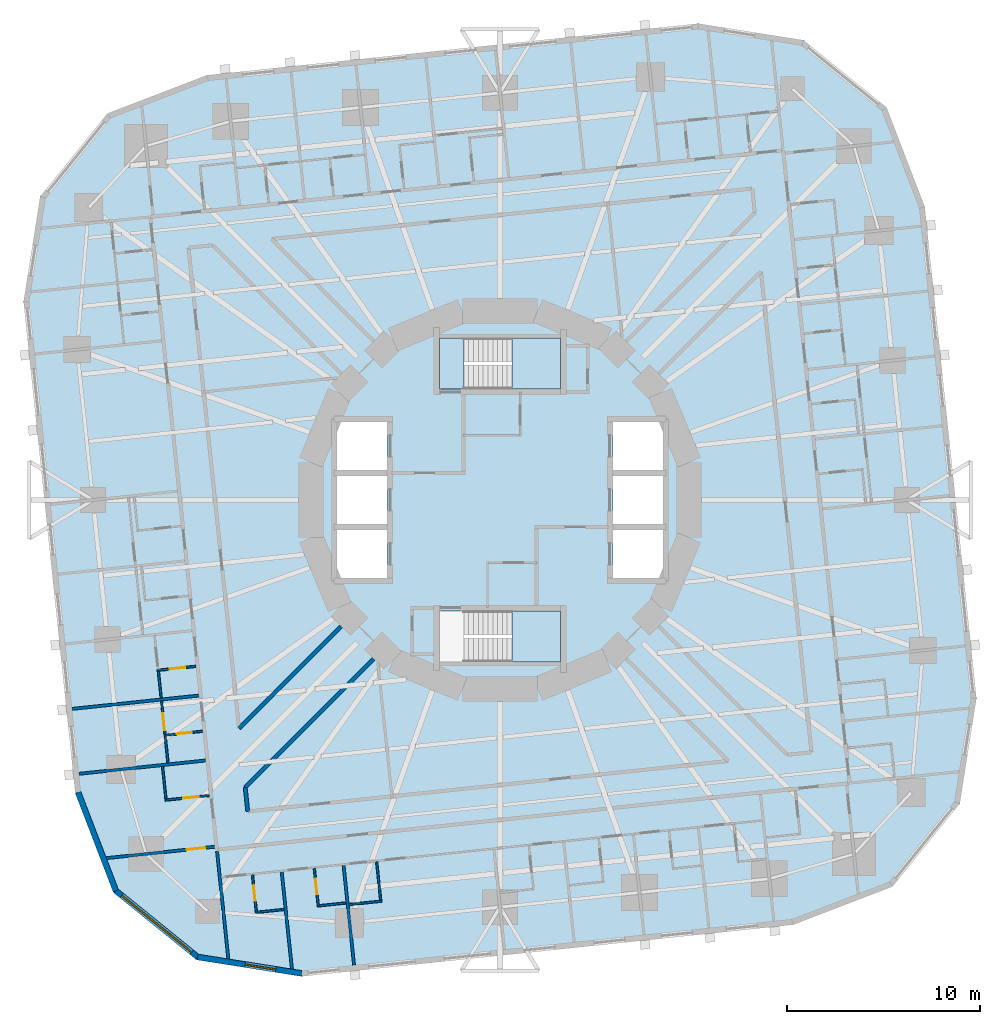
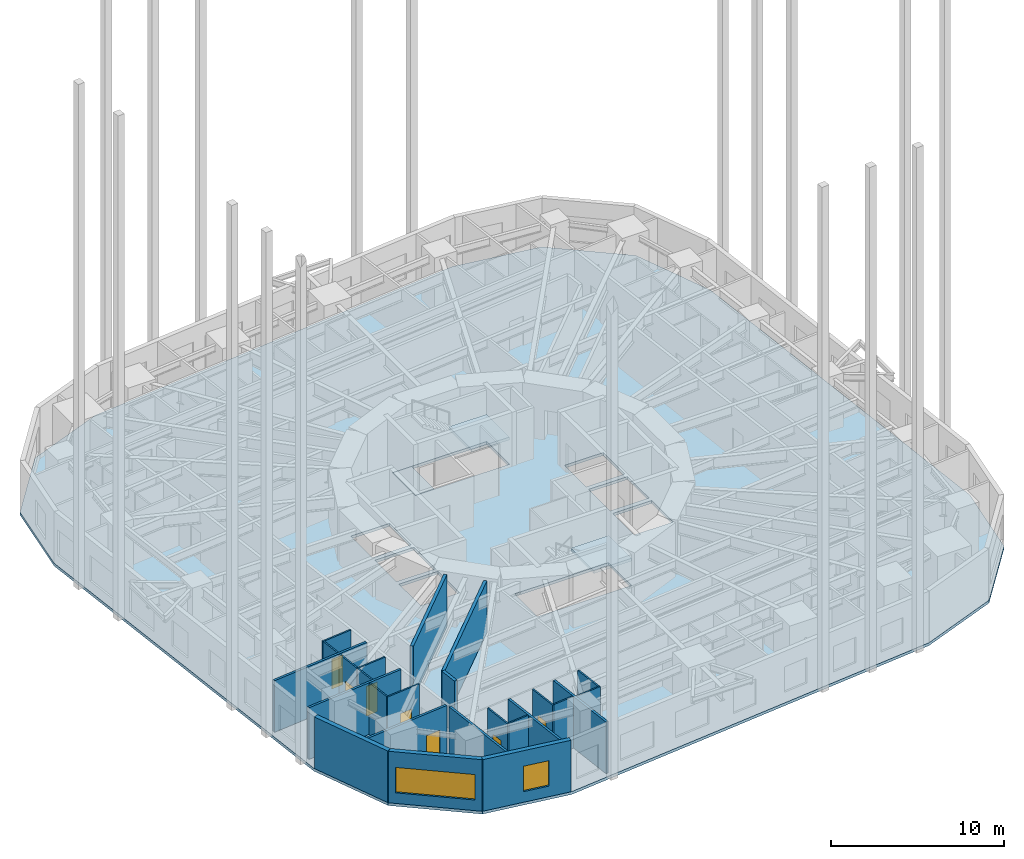
# One storey, part 4 of 13: 25 walls, 7 doors, 4 slabs, 2 windows, 9 openings, 2 elements without a shape of their own.
"""IFC4 building model written with IfcOpenShell, lengths in metres."""

from ifc_helpers import new_model, si_unit, direction, frame, frame_2d, origin, place, context, subcontext, project, spatial, polyline, rectangle, outline, extrude, material, layer, layer_set, type_object, element, fill, aggregate, save


model = new_model("IFC4")

# Units and contexts
model_context = context("Model", 3, precision=1e-05, world=origin(), true_north=direction((0.0, 1.0)))
body_context = subcontext(model_context, "Body", "Model", "MODEL_VIEW")
ifc_project = project(units=[si_unit("LENGTHUNIT", "METRE"), si_unit("AREAUNIT", "SQUARE_METRE"), si_unit("VOLUMEUNIT", "CUBIC_METRE"), si_unit("PLANEANGLEUNIT", "RADIAN"), si_unit("MASSUNIT", "GRAM", prefix="KILO")], contexts=[model_context])

# Site, building, storey
site_placement = place(None, origin())
site = spatial("IfcSite", under=ifc_project, at=site_placement, CompositionType="ELEMENT")
building_placement = place(site_placement, origin())
building = spatial("IfcBuilding", under=site, at=building_placement, Name="Nakasero Lantern House", CompositionType="ELEMENT")
storey_placement = place(building_placement, frame((0.0, 0.0, 60.5)))
storey = spatial("IfcBuildingStorey", under=building, at=storey_placement, Name="L14", CompositionType="ELEMENT", Elevation=60.5)

# Slab
ifc_material_1 = material(Name="Concrete C35/45", Category="concrete")
ifc_layer_1 = layer(ifc_material_1, 0.199951171875)
ifc_layer_set_1 = layer_set([ifc_layer_1], Name="Composite floor slab 200")
slab_type_1 = type_object("IfcSlabType", Name="Composite floor slab 200", PredefinedType="FLOOR", material=ifc_layer_set_1)
slab_1_placement = place(storey_placement, frame((0.0, 0.0, -0.199951171875)))
element("IfcSlab", 1, at=slab_1_placement, inside=storey, type_object=slab_type_1, Name="Floor slab L14", PredefinedType="FLOOR", context=body_context, shape_type="SweptSolid", body=[
    extrude(outline(polyline([(22.033203125, 15.186279296875), (20.04833984375, 20.357177734375), (15.743896484375, 23.8427734375), (10.2734375, 24.709228515625), (-15.186279296875, 22.033203125), (-20.357177734375, 20.04833984375), (-23.8427734375, 15.743896484375), (-24.709228515625, 10.2734375), (-22.033203125, -15.186279296875), (-20.04833984375, -20.357177734375), (-15.743896484375, -23.8427734375), (-10.2734375, -24.709228515625), (15.186279296875, -22.033203125), (20.357177734375, -20.04833984375), (23.8427734375, -15.743896484375), (24.709228515625, -10.2734375), (22.033203125, 15.186279296875)]), holes=[polyline([(-8.449951171875, -4.050048828125), (-5.85009765625, -4.050048828125), (-5.85009765625, -1.550048828125), (-8.449951171875, -1.550048828125), (-8.449951171875, -4.050048828125)]), polyline([(-8.449951171875, -1.25), (-5.85009765625, -1.25), (-5.85009765625, 1.25), (-8.449951171875, 1.25), (-8.449951171875, -1.25)]), polyline([(-8.449951171875, 1.550048828125), (-5.85009765625, 1.550048828125), (-5.85009765625, 4.050048828125), (-8.449951171875, 4.050048828125), (-8.449951171875, 1.550048828125)]), polyline([(5.85009765625, -4.050048828125), (8.449951171875, -4.050048828125), (8.449951171875, -1.550048828125), (5.85009765625, -1.550048828125), (5.85009765625, -4.050048828125)]), polyline([(5.85009765625, -1.25), (8.449951171875, -1.25), (8.449951171875, 1.25), (5.85009765625, 1.25), (5.85009765625, -1.25)]), polyline([(5.85009765625, 1.550048828125), (8.449951171875, 1.550048828125), (8.449951171875, 4.050048828125), (5.85009765625, 4.050048828125), (5.85009765625, 1.550048828125)]), polyline([(-3.14990234375, 5.75), (3.14990234375, 5.75), (3.14990234375, 8.39990234375), (-3.14990234375, 8.39990234375), (-3.14990234375, 5.75)]), polyline([(-3.14990234375, -8.39990234375), (3.14990234375, -8.39990234375), (3.14990234375, -5.75), (-3.14990234375, -5.75), (-3.14990234375, -8.39990234375)])]), origin(), (0.0, 0.0, 1.0), 0.199951171875),
])

# Stair, slabs
ifc_material_2 = material(Name="Concrete C40/50", Category="concrete")
stair_type_1 = type_object("IfcStairType", Name="Escape stair ST1 22 risers", PredefinedType="HALF_TURN_STAIR", material=ifc_material_2)
stair_1_placement = place(storey_placement, origin())
stair_1 = element("IfcStair", 2, at=stair_1_placement, inside=storey, type_object=stair_type_1, Name="Escape stair ST1 L14", PredefinedType="HALF_TURN_STAIR")
ifc_material_3 = material(Name="Concrete C40/50", Category="concrete")
ifc_layer_2 = layer(ifc_material_3, 0.199951171875)
ifc_layer_set_2 = layer_set([ifc_layer_2], Name="Stair landing 200")
slab_type_2 = type_object("IfcSlabType", Name="Stair landing 200", PredefinedType="LANDING", material=ifc_layer_set_2)
slab_2_placement = place(storey_placement, frame((0.0, 0.0, -0.199951171875)))
slab_2 = element("IfcSlab", 3, at=slab_2_placement, type_object=slab_type_2, Name="ST1 landing 1", PredefinedType="LANDING", context=body_context, shape_type="SweptSolid", body=[
    extrude(outline(polyline([(-3.14990234375, 5.75), (-1.875, 5.75), (-1.875, 8.39990234375), (-3.14990234375, 8.39990234375), (-3.14990234375, 5.75)])), origin(), (0.0, 0.0, 1.0), 0.199951171875),
])
slab_3_placement = place(storey_placement, frame((0.0, 0.0, 1.72509765625)))
slab_3 = element("IfcSlab", 4, at=slab_3_placement, type_object=slab_type_2, Name="ST1 landing 2", PredefinedType="LANDING", context=body_context, shape_type="SweptSolid", body=[
    extrude(outline(polyline([(0.625, 5.75), (3.14990234375, 5.75), (3.14990234375, 8.39990234375), (0.625, 8.39990234375), (0.625, 5.75)])), origin(), (0.0, 0.0, 1.0), 0.199951171875),
])
aggregate(stair_1, [slab_2, slab_3])

# Stair, slab
ifc_material_4 = material(Name="Concrete C40/50", Category="concrete")
stair_type_2 = type_object("IfcStairType", Name="Escape stair ST2 22 risers", PredefinedType="HALF_TURN_STAIR", material=ifc_material_4)
stair_2_placement = place(storey_placement, origin())
stair_2 = element("IfcStair", 5, at=stair_2_placement, inside=storey, type_object=stair_type_2, Name="Escape stair ST2 L14", PredefinedType="HALF_TURN_STAIR")
slab_4_placement = place(storey_placement, frame((0.0, 0.0, 1.72509765625)))
slab_4 = element("IfcSlab", 6, at=slab_4_placement, type_object=slab_type_2, Name="ST2 landing 2", PredefinedType="LANDING", context=body_context, shape_type="SweptSolid", body=[
    extrude(outline(polyline([(0.625, -8.39990234375), (3.14990234375, -8.39990234375), (3.14990234375, -5.75), (0.625, -5.75), (0.625, -8.39990234375)])), origin(), (0.0, 0.0, 1.0), 0.199951171875),
])
aggregate(stair_2, [slab_4])

# Walls
ifc_material_5 = material(Name="Blockwork", Category="masonry")
ifc_layer_3 = layer(ifc_material_5, 0.199951171875)
ifc_layer_set_3 = layer_set([ifc_layer_3], Name="Corridor wall 200")
wall_type_1 = type_object("IfcWallType", Name="Corridor wall 200", PredefinedType="PARTITIONING", material=ifc_layer_set_3)
wall_1_placement = place(storey_placement, frame((-13.2138671875, -14.910888671875, 0.0), z_axis=(0.0, 0.0, 1.0), x_axis=(0.104522368483, -0.994522535937, 0.0)))
element("IfcWall", 7, at=wall_1_placement, inside=storey, type_object=wall_type_1, Name="Corridor wall L14 IW2-1", PredefinedType="PARTITIONING", context=body_context, shape_type="SweptSolid", body=[
    extrude(rectangle(XDim=1.251953125, YDim=0.199951171875, at=frame_2d((0.6259765625, 0.0))), origin(), (0.0, 0.0, 1.0), 3.64990234375),
])
wall_2_placement = place(storey_placement, frame((-6.54638671875, -8.243408203125, 0.0), z_axis=(0.0, 0.0, 1.0), x_axis=(-0.707106781187, -0.707106781187, 0.0)))
element("IfcWall", 8, at=wall_2_placement, inside=storey, type_object=wall_type_1, Name="Corridor wall L14 PS10a", PredefinedType="PARTITIONING", context=body_context, shape_type="SweptSolid", body=[
    extrude(rectangle(XDim=9.42919921875, YDim=0.199951171875, at=frame_2d((4.714599609375, 0.0))), origin(), (0.0, 0.0, 1.0), 3.64990234375),
])
wall_3_placement = place(storey_placement, frame((-8.243408203125, -6.54638671875, 0.0), z_axis=(0.0, 0.0, 1.0), x_axis=(-0.707106781187, -0.707106781187, 0.0)))
element("IfcWall", 9, at=wall_3_placement, inside=storey, type_object=wall_type_1, Name="Corridor wall L14 PS10b", PredefinedType="PARTITIONING", context=body_context, shape_type="SweptSolid", body=[
    extrude(rectangle(XDim=7.48583984375, YDim=0.199951171875, at=frame_2d((3.742919921875, 0.0))), origin(), (0.0, 0.0, 1.0), 3.64990234375),
])

# Wall, opening, door
ifc_material_6 = material(Name="Blockwork", Category="masonry")
ifc_layer_4 = layer(ifc_material_6, 0.10009765625)
ifc_layer_set_4 = layer_set([ifc_layer_4], Name="En-suite wall 100")
wall_type_2 = type_object("IfcWallType", Name="En-suite wall 100", PredefinedType="PARTITIONING", material=ifc_layer_set_4)
wall_4_placement = place(storey_placement, frame((-15.78466796875, -8.627685546875, 0.0), z_axis=(0.0, 0.0, 1.0), x_axis=(-0.994512808172, -0.104614886044, 0.0)))
wall_4 = element("IfcWall", 10, at=wall_4_placement, inside=storey, type_object=wall_type_2, Name="En-suite wall L14 ES2-06", PredefinedType="PARTITIONING", context=body_context, shape_type="SweptSolid", body=[
    extrude(rectangle(XDim=2.0, YDim=0.10009765625, at=frame_2d((1.0, 0.0))), origin(), (0.0, 0.0, 1.0), 3.64990234375),
])
opening_1_placement = place(wall_4_placement, frame((0.550048828125, 0.0, 0.0)))
opening_1 = element("IfcOpeningElement", 11, at=opening_1_placement, cuts=wall_4, Name="Opening D02", PredefinedType="OPENING", context=body_context, shape_type="SweptSolid", body=[
    extrude(rectangle(XDim=0.800048828125, YDim=2.10009765625, at=frame_2d((0.39990234375, 1.050048828125))), frame((0.0, 0.070068359375, 0.0), z_axis=(0.0, -1.0, 0.0), x_axis=(1.0, 0.0, 0.0)), (0.0, 0.0, 1.0), 0.14013671875),
])
ifc_material_7 = material(Name="Timber C24", Category="wood")
door_type_1 = type_object("IfcDoorType", Name="En-suite door 800", OperationType="SINGLE_SWING_RIGHT", PredefinedType="DOOR", material=ifc_material_7)
door_1_placement = place(opening_1_placement, origin())
door_1 = element("IfcDoor", 12, at=door_1_placement, inside=storey, type_object=door_type_1, Name="Door L14 DE2-06", OperationType="SINGLE_SWING_LEFT", OverallHeight=2.10009765625, OverallWidth=0.800048828125, PredefinedType="DOOR", context=body_context, shape_type="SweptSolid", body=[
    extrude(rectangle(XDim=0.800048828125, YDim=2.10009765625, at=frame_2d((0.39990234375, 1.050048828125))), frame((0.0, 0.02490234375, 0.0), z_axis=(0.0, -1.0, 0.0), x_axis=(1.0, 0.0, 0.0)), (0.0, 0.0, 1.0), 0.050048828125),
])
fill(opening_1, door_1)

# Wall
wall_5_placement = place(storey_placement, frame((-17.71875, -8.88134765625, 0.0), z_axis=(0.0, 0.0, 1.0), x_axis=(0.104630319263, -0.994511184598, 0.0)))
element("IfcWall", 13, at=wall_5_placement, inside=storey, type_object=wall_type_2, Name="En-suite wall L14 EE2-06", PredefinedType="PARTITIONING", context=body_context, shape_type="SweptSolid", body=[
    extrude(rectangle(XDim=1.39990234375, YDim=0.10009765625, at=frame_2d((0.699951171875, 0.0))), origin(), (0.0, 0.0, 1.0), 3.64990234375),
])

# Wall, opening, door
wall_6_placement = place(storey_placement, frame((-15.4306640625, -11.994873046875, 0.0), z_axis=(0.0, 0.0, 1.0), x_axis=(-0.99452550138, -0.104494148666, 0.0)))
wall_6 = element("IfcWall", 14, at=wall_6_placement, inside=storey, type_object=wall_type_2, Name="En-suite wall L14 ES2-07", PredefinedType="PARTITIONING", context=body_context, shape_type="SweptSolid", body=[
    extrude(rectangle(XDim=2.0, YDim=0.10009765625, at=frame_2d((1.0, 0.0))), origin(), (0.0, 0.0, 1.0), 3.64990234375),
])
opening_2_placement = place(wall_6_placement, frame((0.550048828125, 0.0, 0.0)))
opening_2 = element("IfcOpeningElement", 15, at=opening_2_placement, cuts=wall_6, Name="Opening D02", PredefinedType="OPENING", context=body_context, shape_type="SweptSolid", body=[
    extrude(rectangle(XDim=0.800048828125, YDim=2.10009765625, at=frame_2d((0.39990234375, 1.050048828125))), frame((0.0, 0.070068359375, 0.0), z_axis=(0.0, -1.0, 0.0), x_axis=(1.0, 0.0, 0.0)), (0.0, 0.0, 1.0), 0.14013671875),
])
door_2_placement = place(opening_2_placement, origin())
door_2 = element("IfcDoor", 16, at=door_2_placement, inside=storey, type_object=door_type_1, Name="Door L14 DE2-07", OperationType="SINGLE_SWING_LEFT", OverallHeight=2.10009765625, OverallWidth=0.800048828125, PredefinedType="DOOR", context=body_context, shape_type="SweptSolid", body=[
    extrude(rectangle(XDim=0.800048828125, YDim=2.10009765625, at=frame_2d((0.39990234375, 1.050048828125))), frame((0.0, 0.02490234375, 0.0), z_axis=(0.0, -1.0, 0.0), x_axis=(1.0, 0.0, 0.0)), (0.0, 0.0, 1.0), 0.050048828125),
])
fill(opening_2, door_2)

# Wall
wall_7_placement = place(storey_placement, frame((-17.36474609375, -12.248291015625, 0.0), z_axis=(0.0, 0.0, 1.0), x_axis=(0.104457839748, -0.994529315664, 0.0)))
element("IfcWall", 17, at=wall_7_placement, inside=storey, type_object=wall_type_2, Name="En-suite wall L14 EE2-07", PredefinedType="PARTITIONING", context=body_context, shape_type="SweptSolid", body=[
    extrude(rectangle(XDim=1.39990234375, YDim=0.10009765625, at=frame_2d((0.699951171875, 0.0))), origin(), (0.0, 0.0, 1.0), 3.64990234375),
])

# Wall, opening, door
wall_8_placement = place(storey_placement, frame((-15.08056640625, -15.326416015625, 0.0), z_axis=(0.0, 0.0, 1.0), x_axis=(-0.994518822602, -0.104557694553, 0.0)))
wall_8 = element("IfcWall", 18, at=wall_8_placement, inside=storey, type_object=wall_type_2, Name="En-suite wall L14 ES2-08", PredefinedType="PARTITIONING", context=body_context, shape_type="SweptSolid", body=[
    extrude(rectangle(XDim=2.300048828125, YDim=0.10009765625, at=frame_2d((1.14990234375, 0.0))), origin(), (0.0, 0.0, 1.0), 3.64990234375),
])
opening_3_placement = place(wall_8_placement, frame((0.550048828125, 0.0, 0.0)))
opening_3 = element("IfcOpeningElement", 19, at=opening_3_placement, cuts=wall_8, Name="Opening D02", PredefinedType="OPENING", context=body_context, shape_type="SweptSolid", body=[
    extrude(rectangle(XDim=0.800048828125, YDim=2.10009765625, at=frame_2d((0.39990234375, 1.050048828125))), frame((0.0, 0.070068359375, 0.0), z_axis=(0.0, -1.0, 0.0), x_axis=(1.0, 0.0, 0.0)), (0.0, 0.0, 1.0), 0.14013671875),
])
door_3_placement = place(opening_3_placement, origin())
door_3 = element("IfcDoor", 20, at=door_3_placement, inside=storey, type_object=door_type_1, Name="Door L14 DE2-08", OperationType="SINGLE_SWING_LEFT", OverallHeight=2.10009765625, OverallWidth=0.800048828125, PredefinedType="DOOR", context=body_context, shape_type="SweptSolid", body=[
    extrude(rectangle(XDim=0.800048828125, YDim=2.10009765625, at=frame_2d((0.39990234375, 1.050048828125))), frame((0.0, 0.02490234375, 0.0), z_axis=(0.0, -1.0, 0.0), x_axis=(1.0, 0.0, 0.0)), (0.0, 0.0, 1.0), 0.050048828125),
])
fill(opening_3, door_3)

# Walls
wall_9_placement = place(storey_placement, frame((-17.501220703125, -13.8212890625, 0.0), z_axis=(0.0, 0.0, 1.0), x_axis=(0.104550220202, -0.994519608382, 0.0)))
element("IfcWall", 21, at=wall_9_placement, inside=storey, type_object=wall_type_2, Name="En-suite wall L14 EE2-08", PredefinedType="PARTITIONING", context=body_context, shape_type="SweptSolid", body=[
    extrude(rectangle(XDim=1.699951171875, YDim=0.10009765625, at=frame_2d((0.85009765625, 0.0))), origin(), (0.0, 0.0, 1.0), 3.64990234375),
])
wall_10_placement = place(storey_placement, frame((-6.397216796875, -18.771484375, 0.0), z_axis=(0.0, 0.0, 1.0), x_axis=(0.104509292252, -0.994523910136, 0.0)))
element("IfcWall", 22, at=wall_10_placement, inside=storey, type_object=wall_type_2, Name="En-suite wall L14 SS3-0", PredefinedType="PARTITIONING", context=body_context, shape_type="SweptSolid", body=[
    extrude(rectangle(XDim=2.10009765625, YDim=0.10009765625, at=frame_2d((1.050048828125, 0.0))), origin(), (0.0, 0.0, 1.0), 3.64990234375),
])
wall_11_placement = place(storey_placement, frame((-7.823974609375, -20.982666015625, 0.0), z_axis=(0.0, 0.0, 1.0), x_axis=(0.994534530939, 0.104408173862, 0.0)))
element("IfcWall", 23, at=wall_11_placement, inside=storey, type_object=wall_type_2, Name="En-suite wall L14 SE3-0", PredefinedType="PARTITIONING", context=body_context, shape_type="SweptSolid", body=[
    extrude(rectangle(XDim=1.699951171875, YDim=0.10009765625, at=frame_2d((0.85009765625, 0.0))), origin(), (0.0, 0.0, 1.0), 3.64990234375),
])

# Wall, opening, door
wall_12_placement = place(storey_placement, frame((-12.837158203125, -19.448486328125, 0.0), z_axis=(0.0, 0.0, 1.0), x_axis=(0.104494148666, -0.99452550138, 0.0)))
wall_12 = element("IfcWall", 24, at=wall_12_placement, inside=storey, type_object=wall_type_2, Name="En-suite wall L14 ES3-00", PredefinedType="PARTITIONING", context=body_context, shape_type="SweptSolid", body=[
    extrude(rectangle(XDim=2.0, YDim=0.10009765625, at=frame_2d((1.0, 0.0))), origin(), (0.0, 0.0, 1.0), 3.64990234375),
])
opening_4_placement = place(wall_12_placement, frame((0.550048828125, 0.0, 0.0)))
opening_4 = element("IfcOpeningElement", 25, at=opening_4_placement, cuts=wall_12, Name="Opening D02", PredefinedType="OPENING", context=body_context, shape_type="SweptSolid", body=[
    extrude(rectangle(XDim=0.800048828125, YDim=2.10009765625, at=frame_2d((0.39990234375, 1.050048828125))), frame((0.0, 0.070068359375, 0.0), z_axis=(0.0, -1.0, 0.0), x_axis=(1.0, 0.0, 0.0)), (0.0, 0.0, 1.0), 0.14013671875),
])
door_4_placement = place(opening_4_placement, origin())
door_4 = element("IfcDoor", 26, at=door_4_placement, inside=storey, type_object=door_type_1, Name="Door L14 DE3-00", OperationType="SINGLE_SWING_LEFT", OverallHeight=2.10009765625, OverallWidth=0.800048828125, PredefinedType="DOOR", context=body_context, shape_type="SweptSolid", body=[
    extrude(rectangle(XDim=0.800048828125, YDim=2.10009765625, at=frame_2d((0.39990234375, 1.050048828125))), frame((0.0, 0.02490234375, 0.0), z_axis=(0.0, -1.0, 0.0), x_axis=(1.0, 0.0, 0.0)), (0.0, 0.0, 1.0), 0.050048828125),
])
fill(opening_4, door_4)

# Wall
wall_13_placement = place(storey_placement, frame((-12.58349609375, -21.382568359375, 0.0), z_axis=(0.0, 0.0, 1.0), x_axis=(0.994511184598, 0.104630319263, 0.0)))
element("IfcWall", 27, at=wall_13_placement, inside=storey, type_object=wall_type_2, Name="En-suite wall L14 EE3-00", PredefinedType="PARTITIONING", context=body_context, shape_type="SweptSolid", body=[
    extrude(rectangle(XDim=1.39990234375, YDim=0.10009765625, at=frame_2d((0.699951171875, 0.0))), origin(), (0.0, 0.0, 1.0), 3.64990234375),
])

# Wall, opening, door
wall_14_placement = place(storey_placement, frame((-9.62939453125, -19.111328125, 0.0), z_axis=(0.0, 0.0, 1.0), x_axis=(0.104494148666, -0.99452550138, 0.0)))
wall_14 = element("IfcWall", 28, at=wall_14_placement, inside=storey, type_object=wall_type_2, Name="En-suite wall L14 ES3-01", PredefinedType="PARTITIONING", context=body_context, shape_type="SweptSolid", body=[
    extrude(rectangle(XDim=2.0, YDim=0.10009765625, at=frame_2d((1.0, 0.0))), origin(), (0.0, 0.0, 1.0), 3.64990234375),
])
opening_5_placement = place(wall_14_placement, frame((0.550048828125, 0.0, 0.0)))
opening_5 = element("IfcOpeningElement", 29, at=opening_5_placement, cuts=wall_14, Name="Opening D02", PredefinedType="OPENING", context=body_context, shape_type="SweptSolid", body=[
    extrude(rectangle(XDim=0.800048828125, YDim=2.10009765625, at=frame_2d((0.39990234375, 1.050048828125))), frame((0.0, 0.070068359375, 0.0), z_axis=(0.0, -1.0, 0.0), x_axis=(1.0, 0.0, 0.0)), (0.0, 0.0, 1.0), 0.14013671875),
])
door_5_placement = place(opening_5_placement, origin())
door_5 = element("IfcDoor", 30, at=door_5_placement, inside=storey, type_object=door_type_1, Name="Door L14 DE3-01", OperationType="SINGLE_SWING_LEFT", OverallHeight=2.10009765625, OverallWidth=0.800048828125, PredefinedType="DOOR", context=body_context, shape_type="SweptSolid", body=[
    extrude(rectangle(XDim=0.800048828125, YDim=2.10009765625, at=frame_2d((0.39990234375, 1.050048828125))), frame((0.0, 0.02490234375, 0.0), z_axis=(0.0, -1.0, 0.0), x_axis=(1.0, 0.0, 0.0)), (0.0, 0.0, 1.0), 0.050048828125),
])
fill(opening_5, door_5)

# Wall
wall_15_placement = place(storey_placement, frame((-9.3759765625, -21.04541015625, 0.0), z_axis=(0.0, 0.0, 1.0), x_axis=(0.994511184598, 0.104630319263, 0.0)))
element("IfcWall", 31, at=wall_15_placement, inside=storey, type_object=wall_type_2, Name="En-suite wall L14 EE3-01", PredefinedType="PARTITIONING", context=body_context, shape_type="SweptSolid", body=[
    extrude(rectangle(XDim=1.39990234375, YDim=0.10009765625, at=frame_2d((0.699951171875, 0.0))), origin(), (0.0, 0.0, 1.0), 3.64990234375),
])

# Wall, opening, door
wall_16_placement = place(storey_placement, frame((-17.556640625, -10.4228515625, 0.0), z_axis=(0.0, 0.0, 1.0), x_axis=(0.10451636674, -0.99452316669, 0.0)))
wall_16 = element("IfcWall", 32, at=wall_16_placement, inside=storey, type_object=wall_type_2, Name="En-suite wall L14 EL2-07", PredefinedType="PARTITIONING", context=body_context, shape_type="SweptSolid", body=[
    extrude(rectangle(XDim=1.735595703125, YDim=0.10009765625, at=frame_2d((0.86767578125, 0.0))), origin(), (0.0, 0.0, 1.0), 3.64990234375),
])
opening_6_placement = place(wall_16_placement, frame((0.635498046875, 0.0, 0.0)))
opening_6 = element("IfcOpeningElement", 33, at=opening_6_placement, cuts=wall_16, Name="Opening D17", PredefinedType="OPENING", context=body_context, shape_type="SweptSolid", body=[
    extrude(rectangle(XDim=0.89990234375, YDim=2.10009765625, at=frame_2d((0.449951171875, 1.050048828125))), frame((0.0, 0.070068359375, 0.0), z_axis=(0.0, -1.0, 0.0), x_axis=(1.0, 0.0, 0.0)), (0.0, 0.0, 1.0), 0.14013671875),
])
ifc_material_8 = material(Name="Timber C24", Category="wood")
door_type_2 = type_object("IfcDoorType", Name="Bedroom door FD30S 900", OperationType="SINGLE_SWING_LEFT", PredefinedType="DOOR", material=ifc_material_8)
door_6_placement = place(opening_6_placement, origin())
door_6 = element("IfcDoor", 34, at=door_6_placement, inside=storey, type_object=door_type_2, Name="Door L14 DL2-07", OperationType="SINGLE_SWING_RIGHT", OverallHeight=2.10009765625, OverallWidth=0.89990234375, PredefinedType="DOOR", context=body_context, shape_type="SweptSolid", body=[
    extrude(rectangle(XDim=0.89990234375, YDim=2.10009765625, at=frame_2d((0.449951171875, 1.050048828125))), frame((0.0, 0.02490234375, 0.0), z_axis=(0.0, -1.0, 0.0), x_axis=(1.0, 0.0, 0.0)), (0.0, 0.0, 1.0), 0.050048828125),
])
fill(opening_6, door_6)

# Wall
ifc_material_9 = material(Name="Aluminium rainscreen on blockwork", Category="masonry")
ifc_layer_5 = layer(ifc_material_9, 0.300048828125)
ifc_layer_set_5 = layer_set([ifc_layer_5], Name="Facade wall 300")
wall_type_3 = type_object("IfcWallType", Name="Facade wall 300", PredefinedType="SOLIDWALL", material=ifc_layer_set_5)
wall_17_placement = place(storey_placement, frame((-21.884033203125, -15.170654296875, 0.0), z_axis=(0.0, 0.0, 1.0), x_axis=(0.358358884793, -0.933583906079, 0.0)))
element("IfcWall", 35, at=wall_17_placement, inside=storey, type_object=wall_type_3, Name="Facade wall L14 FW2C1", PredefinedType="SOLIDWALL", context=body_context, shape_type="SweptSolid", body=[
    extrude(rectangle(XDim=5.461181640625, YDim=0.300048828125, at=frame_2d((2.73046875, 0.0))), origin(), (0.0, 0.0, 1.0), 3.64990234375),
])

# Wall, opening, window
wall_18_placement = place(storey_placement, frame((-19.927001953125, -20.26904296875, 0.0), z_axis=(0.0, 0.0, 1.0), x_axis=(0.777134500863, -0.629334543442, 0.0)))
wall_18 = element("IfcWall", 36, at=wall_18_placement, inside=storey, type_object=wall_type_3, Name="Facade wall L14 FW2C2", PredefinedType="SOLIDWALL", context=body_context, shape_type="SweptSolid", body=[
    extrude(rectangle(XDim=5.4609375, YDim=0.300048828125, at=frame_2d((2.73046875, 0.0))), origin(), (0.0, 0.0, 1.0), 3.64990234375),
])
opening_7_placement = place(wall_18_placement, frame((0.39990234375, 0.0, 0.75)))
opening_7 = element("IfcOpeningElement", 37, at=opening_7_placement, cuts=wall_18, Name="Opening W246", PredefinedType="OPENING", context=body_context, shape_type="SweptSolid", body=[
    extrude(rectangle(XDim=4.660888671875, YDim=1.800048828125, at=frame_2d((2.33056640625, 0.89990234375))), frame((0.0, 0.169921875, 0.0), z_axis=(0.0, -1.0, 0.0), x_axis=(1.0, 0.0, 0.0)), (0.0, 0.0, 1.0), 0.340087890625),
])
ifc_material_10 = material(Name="Aluminium 6063-T6 and glass", Category="aluminium")
window_type_1 = type_object("IfcWindowType", Name="Corner window 4661x1800", PartitioningType="SINGLE_PANEL", PredefinedType="WINDOW", material=ifc_material_10)
window_1_placement = place(opening_7_placement, origin())
window_1 = element("IfcWindow", 38, at=window_1_placement, inside=storey, type_object=window_type_1, Name="Window L14 WC2", OverallHeight=1.800048828125, OverallWidth=4.660888671875, PartitioningType="SINGLE_PANEL", PredefinedType="WINDOW", context=body_context, shape_type="SweptSolid", body=[
    extrude(rectangle(XDim=4.660888671875, YDim=1.800048828125, at=frame_2d((2.33056640625, 0.89990234375))), frame((0.0, 0.030029296875, 0.0), z_axis=(0.0, -1.0, 0.0), x_axis=(1.0, 0.0, 0.0)), (0.0, 0.0, 1.0), 0.06005859375),
])
fill(opening_7, window_1)

wall_19_placement = place(storey_placement, frame((-15.68310546875, -23.705810546875, 0.0), z_axis=(0.0, 0.0, 1.0), x_axis=(0.987690729142, -0.156419383601, 0.0)))
wall_19 = element("IfcWall", 39, at=wall_19_placement, inside=storey, type_object=wall_type_3, Name="Facade wall L14 FW2C3", PredefinedType="SOLIDWALL", context=body_context, shape_type="SweptSolid", body=[
    extrude(rectangle(XDim=5.461181640625, YDim=0.300048828125, at=frame_2d((2.73046875, 0.0))), origin(), (0.0, 0.0, 1.0), 3.64990234375),
])
opening_8_placement = place(wall_19_placement, frame((2.5, 0.0, 0.75)))
opening_8 = element("IfcOpeningElement", 40, at=opening_8_placement, cuts=wall_19, Name="Opening W01", PredefinedType="OPENING", context=body_context, shape_type="SweptSolid", body=[
    extrude(rectangle(XDim=1.60009765625, YDim=1.800048828125, at=frame_2d((0.800048828125, 0.89990234375))), frame((0.0, 0.169921875, 0.0), z_axis=(0.0, -1.0, 0.0), x_axis=(1.0, 0.0, 0.0)), (0.0, 0.0, 1.0), 0.340087890625),
])
ifc_material_11 = material(Name="Aluminium 6063-T6 and glass", Category="aluminium")
window_type_2 = type_object("IfcWindowType", Name="Bedroom window 1600x1800", PartitioningType="SINGLE_PANEL", PredefinedType="WINDOW", material=ifc_material_11)
window_2_placement = place(opening_8_placement, origin())
window_2 = element("IfcWindow", 41, at=window_2_placement, inside=storey, type_object=window_type_2, Name="Window L14 WN3-00", OverallHeight=1.800048828125, OverallWidth=1.60009765625, PartitioningType="SINGLE_PANEL", PredefinedType="WINDOW", context=body_context, shape_type="SweptSolid", body=[
    extrude(rectangle(XDim=1.60009765625, YDim=1.800048828125, at=frame_2d((0.800048828125, 0.89990234375))), frame((0.0, 0.030029296875, 0.0), z_axis=(0.0, -1.0, 0.0), x_axis=(1.0, 0.0, 0.0)), (0.0, 0.0, 1.0), 0.06005859375),
])
fill(opening_8, window_2)

# Walls
ifc_material_12 = material(Name="Blockwork", Category="masonry")
ifc_layer_6 = layer(ifc_material_12, 0.14990234375)
ifc_layer_set_6 = layer_set([ifc_layer_6], Name="Party wall 150")
wall_type_4 = type_object("IfcWallType", Name="Party wall 150", PredefinedType="PARTITIONING", material=ifc_layer_set_6)
wall_20_placement = place(storey_placement, frame((-15.625244140625, -10.14453125, 0.0), z_axis=(0.0, 0.0, 1.0), x_axis=(-0.994524692105, -0.104501850668, 0.0)))
element("IfcWall", 42, at=wall_20_placement, inside=storey, type_object=wall_type_4, Name="Party wall L14 PW2-07", PredefinedType="PARTITIONING", context=body_context, shape_type="SweptSolid", body=[
    extrude(rectangle(XDim=6.599853515625, YDim=0.14990234375, at=frame_2d((3.2998046875, 0.0))), origin(), (0.0, 0.0, 1.0), 3.64990234375),
])
wall_21_placement = place(storey_placement, frame((-15.271240234375, -13.511474609375, 0.0), z_axis=(0.0, 0.0, 1.0), x_axis=(-0.994521251134, -0.104534592565, 0.0)))
element("IfcWall", 43, at=wall_21_placement, inside=storey, type_object=wall_type_4, Name="Party wall L14 PW2-08", PredefinedType="PARTITIONING", context=body_context, shape_type="SweptSolid", body=[
    extrude(rectangle(XDim=6.60009765625, YDim=0.14990234375, at=frame_2d((3.300048828125, 0.0))), origin(), (0.0, 0.0, 1.0), 3.64990234375),
])

# Wall, opening, door
wall_22_placement = place(storey_placement, frame((-14.801025390625, -17.9853515625, 0.0), z_axis=(0.0, 0.0, 1.0), x_axis=(-0.994522751177, -0.104520320471, 0.0)))
wall_22 = element("IfcWall", 44, at=wall_22_placement, inside=storey, type_object=wall_type_4, Name="Party wall L14 PC2", PredefinedType="PARTITIONING", context=body_context, shape_type="SweptSolid", body=[
    extrude(rectangle(XDim=5.64111328125, YDim=0.14990234375, at=frame_2d((2.820556640625, 0.0))), origin(), (0.0, 0.0, 1.0), 3.64990234375),
])
opening_9_placement = place(wall_22_placement, frame((0.5, 0.0, 0.0)))
opening_9 = element("IfcOpeningElement", 45, at=opening_9_placement, cuts=wall_22, Name="Opening D01", PredefinedType="OPENING", context=body_context, shape_type="SweptSolid", body=[
    extrude(rectangle(XDim=0.949951171875, YDim=2.10009765625, at=frame_2d((0.47509765625, 1.050048828125))), frame((0.0, 0.094970703125, 0.0), z_axis=(0.0, -1.0, 0.0), x_axis=(1.0, 0.0, 0.0)), (0.0, 0.0, 1.0), 0.18994140625),
])
ifc_material_13 = material(Name="Timber C24", Category="wood")
door_type_3 = type_object("IfcDoorType", Name="Bedroom door FD30S 950", OperationType="SINGLE_SWING_LEFT", PredefinedType="DOOR", material=ifc_material_13)
door_7_placement = place(opening_9_placement, origin())
door_7 = element("IfcDoor", 46, at=door_7_placement, inside=storey, type_object=door_type_3, Name="Door L14 DC2", OperationType="SINGLE_SWING_LEFT", OverallHeight=2.10009765625, OverallWidth=0.949951171875, PredefinedType="DOOR", context=body_context, shape_type="SweptSolid", body=[
    extrude(rectangle(XDim=0.949951171875, YDim=2.10009765625, at=frame_2d((0.47509765625, 1.050048828125))), frame((0.0, 0.02490234375, 0.0), z_axis=(0.0, -1.0, 0.0), x_axis=(1.0, 0.0, 0.0)), (0.0, 0.0, 1.0), 0.050048828125),
])
fill(opening_9, door_7)

# Walls
wall_23_placement = place(storey_placement, frame((-14.674560546875, -18.23388671875, 0.0), z_axis=(0.0, 0.0, 1.0), x_axis=(0.104541754786, -0.994520498284, 0.0)))
element("IfcWall", 47, at=wall_23_placement, inside=storey, type_object=wall_type_4, Name="Party wall L14 PW3-00", PredefinedType="PARTITIONING", context=body_context, shape_type="SweptSolid", body=[
    extrude(rectangle(XDim=5.597900390625, YDim=0.14990234375, at=frame_2d((2.798828125, 0.0))), origin(), (0.0, 0.0, 1.0), 3.64990234375),
])
wall_24_placement = place(storey_placement, frame((-11.320556640625, -19.2890625, 0.0), z_axis=(0.0, 0.0, 1.0), x_axis=(0.104559257608, -0.994518658271, 0.0)))
element("IfcWall", 48, at=wall_24_placement, inside=storey, type_object=wall_type_4, Name="Party wall L14 PW3-01", PredefinedType="PARTITIONING", context=body_context, shape_type="SweptSolid", body=[
    extrude(rectangle(XDim=5.062255859375, YDim=0.14990234375, at=frame_2d((2.53125, 0.0))), origin(), (0.0, 0.0, 1.0), 3.64990234375),
])
wall_25_placement = place(storey_placement, frame((-8.11279296875, -18.951904296875, 0.0), z_axis=(0.0, 0.0, 1.0), x_axis=(0.104513699976, -0.994523446942, 0.0)))
element("IfcWall", 49, at=wall_25_placement, inside=storey, type_object=wall_type_4, Name="Party wall L14 PW3-02", PredefinedType="PARTITIONING", context=body_context, shape_type="SweptSolid", body=[
    extrude(rectangle(XDim=5.199951171875, YDim=0.14990234375, at=frame_2d((2.60009765625, 0.0))), origin(), (0.0, 0.0, 1.0), 3.64990234375),
])

save(model, "model.ifc")
